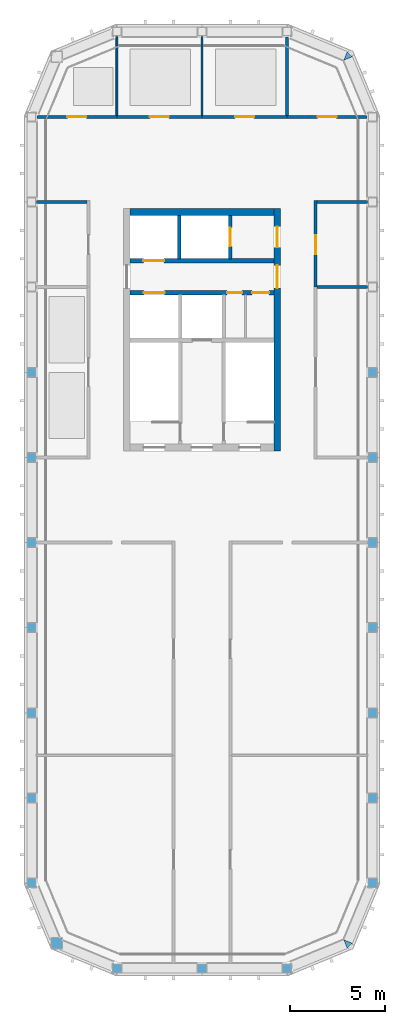
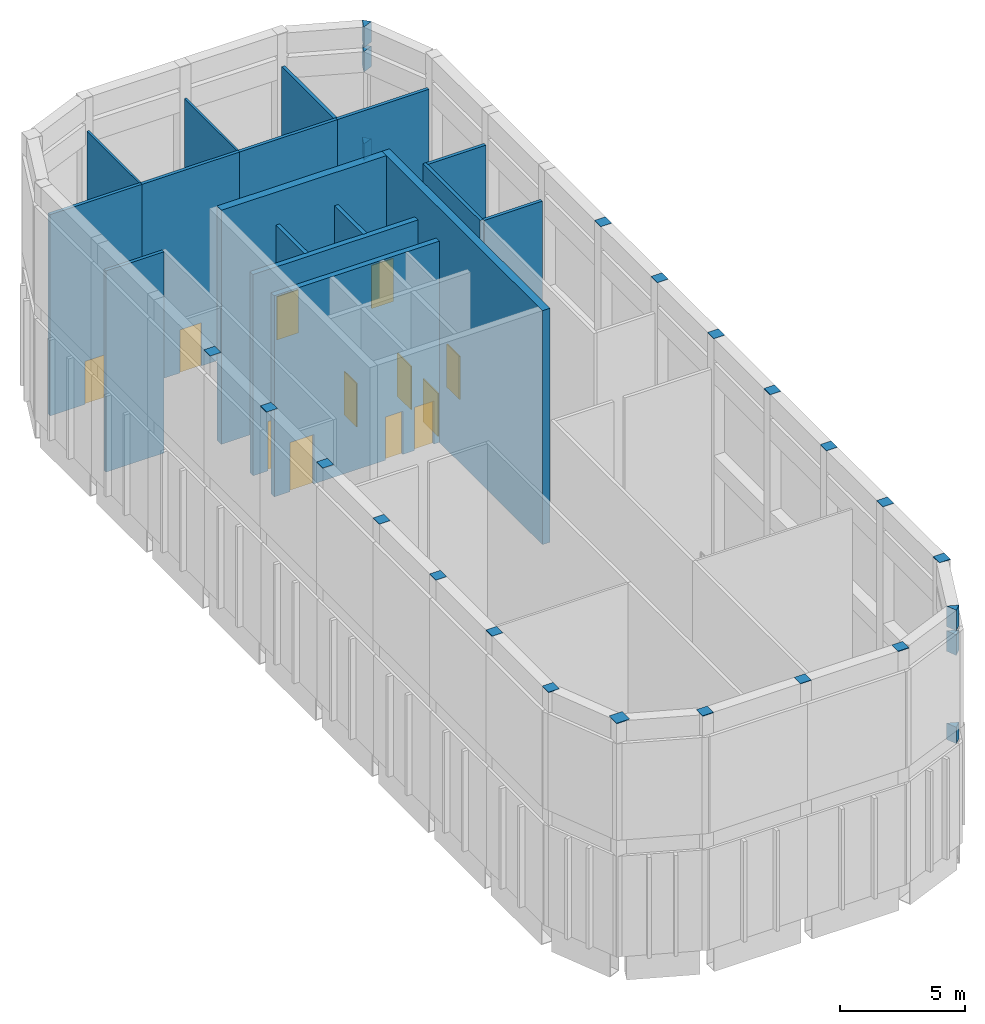
# One storey, part 3 of 7: 24 discrete accessories, 17 walls, 12 doors, 12 openings.
"""IFC4 building model written with IfcOpenShell, lengths in metres."""

from ifc_helpers import new_model, si_unit, direction, frame, frame_2d, origin, place, context, subcontext, project, spatial, polyline, rectangle, outline, extrude, material, layer, layer_set, type_object, element, fill, save


model = new_model("IFC4")

# Units and contexts
model_context = context("Model", 3, precision=1e-05, world=origin(), true_north=direction((0.0, 1.0)))
body_context = subcontext(model_context, "Body", "Model", "MODEL_VIEW")
ifc_project = project(units=[si_unit("LENGTHUNIT", "METRE"), si_unit("AREAUNIT", "SQUARE_METRE"), si_unit("VOLUMEUNIT", "CUBIC_METRE"), si_unit("PLANEANGLEUNIT", "RADIAN"), si_unit("MASSUNIT", "GRAM", prefix="KILO")], contexts=[model_context])

# Site, building, storey
site_placement = place(None, origin())
site = spatial("IfcSite", under=ifc_project, at=site_placement, CompositionType="ELEMENT")
building_placement = place(site_placement, origin())
building = spatial("IfcBuilding", under=site, at=building_placement, Name="Girih Gate Residences", CompositionType="ELEMENT")
storey_placement = place(building_placement, frame((0.0, 0.0, 247.094970703125)))
storey = spatial("IfcBuildingStorey", under=building, at=storey_placement, Name="L67", CompositionType="ELEMENT", Elevation=247.094970703125)

# Wall, opening, door
ifc_material_1 = material(Name="Gypsum board on steel studs", Category="steel")
ifc_layer_1 = layer(ifc_material_1, 0.14990234375)
ifc_layer_set_1 = layer_set([ifc_layer_1], Name="Compartment wall 150 mm")
wall_type_1 = type_object("IfcWallType", Name="Compartment wall 150 mm", PredefinedType="PARTITIONING", material=ifc_layer_set_1)
wall_1_placement = place(storey_placement, frame((15.0, 40.574951171875, 0.0), z_axis=(0.0, 0.0, 1.0), x_axis=(0.0, -1.0, 0.0)))
wall_1 = element("IfcWall", 1, at=wall_1_placement, inside=storey, type_object=wall_type_1, Name="L67 partition", PredefinedType="PARTITIONING", context=body_context, shape_type="SweptSolid", body=[
    extrude(rectangle(XDim=4.574951171875, YDim=0.14990234375, at=frame_2d((2.28759765625, 0.0))), origin(), (0.0, 0.0, 1.0), 9.800048828125),
])
opening_1_placement = place(wall_1_placement, frame((1.824951171875, 0.0, 0.0)))
opening_1 = element("IfcOpeningElement", 2, at=opening_1_placement, cuts=wall_1, Name="Opening D-L67-S-002", PredefinedType="OPENING", context=body_context, shape_type="SweptSolid", body=[
    extrude(rectangle(XDim=1.0, YDim=2.10009765625, at=frame_2d((0.5, 1.050048828125))), frame((0.0, 0.0849609375, 0.0), z_axis=(0.0, -1.0, 0.0), x_axis=(1.0, 0.0, 0.0)), (0.0, 0.0, 1.0), 0.169921875),
])
ifc_material_2 = material(Name="Painted steel, fire-resisting", Category="steel")
door_type_1 = type_object("IfcDoorType", Name="Plant room door 1000x2100 FD60", OperationType="SINGLE_SWING_LEFT", PredefinedType="DOOR", material=ifc_material_2)
door_1_placement = place(opening_1_placement, origin())
door_1 = element("IfcDoor", 3, at=door_1_placement, inside=storey, type_object=door_type_1, Name="Door L67-002", OperationType="SINGLE_SWING_RIGHT", OverallHeight=2.10009765625, OverallWidth=1.0, PredefinedType="DOOR", context=body_context, shape_type="SweptSolid", body=[
    extrude(rectangle(XDim=1.0, YDim=2.10009765625, at=frame_2d((0.5, 1.050048828125))), frame((0.0, 0.02490234375, 0.0), z_axis=(0.0, -1.0, 0.0), x_axis=(1.0, 0.0, 0.0)), (0.0, 0.0, 1.0), 0.050048828125),
])
fill(opening_1, door_1)

wall_2_placement = place(storey_placement, frame((0.2705078125, 45.0, 0.0), z_axis=(0.0, 0.0, 1.0), x_axis=(1.0, 0.0, 0.0)))
wall_2 = element("IfcWall", 4, at=wall_2_placement, inside=storey, type_object=wall_type_1, Name="L67 partition", PredefinedType="PARTITIONING", context=body_context, shape_type="SweptSolid", body=[
    extrude(rectangle(XDim=4.2294921875, YDim=0.14990234375, at=frame_2d((2.11474609375, 0.0))), origin(), (0.0, 0.0, 1.0), 9.800048828125),
])
opening_2_placement = place(wall_2_placement, frame((1.61474609375, 0.0, 0.0)))
opening_2 = element("IfcOpeningElement", 5, at=opening_2_placement, cuts=wall_2, Name="Opening D-L67-S-005", PredefinedType="OPENING", context=body_context, shape_type="SweptSolid", body=[
    extrude(rectangle(XDim=1.0, YDim=2.10009765625, at=frame_2d((0.5, 1.050048828125))), frame((0.0, 0.0849609375, 0.0), z_axis=(0.0, -1.0, 0.0), x_axis=(1.0, 0.0, 0.0)), (0.0, 0.0, 1.0), 0.169921875),
])
door_2_placement = place(opening_2_placement, origin())
door_2 = element("IfcDoor", 6, at=door_2_placement, inside=storey, type_object=door_type_1, Name="Door L67-005", OperationType="SINGLE_SWING_RIGHT", OverallHeight=2.10009765625, OverallWidth=1.0, PredefinedType="DOOR", context=body_context, shape_type="SweptSolid", body=[
    extrude(rectangle(XDim=1.0, YDim=2.10009765625, at=frame_2d((0.5, 1.050048828125))), frame((0.0, 0.02490234375, 0.0), z_axis=(0.0, -1.0, 0.0), x_axis=(1.0, 0.0, 0.0)), (0.0, 0.0, 1.0), 0.050048828125),
])
fill(opening_2, door_2)

wall_3_placement = place(storey_placement, frame((4.5, 45.0, 0.0), z_axis=(0.0, 0.0, 1.0), x_axis=(1.0, 0.0, 0.0)))
wall_3 = element("IfcWall", 7, at=wall_3_placement, inside=storey, type_object=wall_type_1, Name="L67 partition", PredefinedType="PARTITIONING", context=body_context, shape_type="SweptSolid", body=[
    extrude(rectangle(XDim=4.5, YDim=0.14990234375, at=frame_2d((2.25, 0.0))), origin(), (0.0, 0.0, 1.0), 9.800048828125),
])
opening_3_placement = place(wall_3_placement, frame((1.75, 0.0, 0.0)))
opening_3 = element("IfcOpeningElement", 8, at=opening_3_placement, cuts=wall_3, Name="Opening D-L67-S-006", PredefinedType="OPENING", context=body_context, shape_type="SweptSolid", body=[
    extrude(rectangle(XDim=1.0, YDim=2.10009765625, at=frame_2d((0.5, 1.050048828125))), frame((0.0, 0.0849609375, 0.0), z_axis=(0.0, -1.0, 0.0), x_axis=(1.0, 0.0, 0.0)), (0.0, 0.0, 1.0), 0.169921875),
])
door_3_placement = place(opening_3_placement, origin())
door_3 = element("IfcDoor", 9, at=door_3_placement, inside=storey, type_object=door_type_1, Name="Door L67-006", OperationType="SINGLE_SWING_RIGHT", OverallHeight=2.10009765625, OverallWidth=1.0, PredefinedType="DOOR", context=body_context, shape_type="SweptSolid", body=[
    extrude(rectangle(XDim=1.0, YDim=2.10009765625, at=frame_2d((0.5, 1.050048828125))), frame((0.0, 0.02490234375, 0.0), z_axis=(0.0, -1.0, 0.0), x_axis=(1.0, 0.0, 0.0)), (0.0, 0.0, 1.0), 0.050048828125),
])
fill(opening_3, door_3)

# Wall
wall_4_placement = place(storey_placement, frame((13.5, 45.074951171875, 0.0), z_axis=(0.0, 0.0, 1.0), x_axis=(0.0, 1.0, 0.0)))
element("IfcWall", 10, at=wall_4_placement, inside=storey, type_object=wall_type_1, Name="L67 partition", PredefinedType="PARTITIONING", context=body_context, shape_type="SweptSolid", body=[
    extrude(rectangle(XDim=4.154541015625, YDim=0.14990234375, at=frame_2d((2.0771484375, 0.0))), origin(), (0.0, 0.0, 1.0), 9.800048828125),
])

# Wall, opening, door
wall_5_placement = place(storey_placement, frame((9.0, 45.0, 0.0), z_axis=(0.0, 0.0, 1.0), x_axis=(1.0, 0.0, 0.0)))
wall_5 = element("IfcWall", 11, at=wall_5_placement, inside=storey, type_object=wall_type_1, Name="L67 partition", PredefinedType="PARTITIONING", context=body_context, shape_type="SweptSolid", body=[
    extrude(rectangle(XDim=4.5, YDim=0.14990234375, at=frame_2d((2.25, 0.0))), origin(), (0.0, 0.0, 1.0), 9.800048828125),
])
opening_4_placement = place(wall_5_placement, frame((1.75, 0.0, 0.0)))
opening_4 = element("IfcOpeningElement", 12, at=opening_4_placement, cuts=wall_5, Name="Opening D-L67-S-007", PredefinedType="OPENING", context=body_context, shape_type="SweptSolid", body=[
    extrude(rectangle(XDim=1.0, YDim=2.10009765625, at=frame_2d((0.5, 1.050048828125))), frame((0.0, 0.0849609375, 0.0), z_axis=(0.0, -1.0, 0.0), x_axis=(1.0, 0.0, 0.0)), (0.0, 0.0, 1.0), 0.169921875),
])
door_4_placement = place(opening_4_placement, origin())
door_4 = element("IfcDoor", 13, at=door_4_placement, inside=storey, type_object=door_type_1, Name="Door L67-007", OperationType="SINGLE_SWING_RIGHT", OverallHeight=2.10009765625, OverallWidth=1.0, PredefinedType="DOOR", context=body_context, shape_type="SweptSolid", body=[
    extrude(rectangle(XDim=1.0, YDim=2.10009765625, at=frame_2d((0.5, 1.050048828125))), frame((0.0, 0.02490234375, 0.0), z_axis=(0.0, -1.0, 0.0), x_axis=(1.0, 0.0, 0.0)), (0.0, 0.0, 1.0), 0.050048828125),
])
fill(opening_4, door_4)

wall_6_placement = place(storey_placement, frame((13.5, 45.0, 0.0), z_axis=(0.0, 0.0, 1.0), x_axis=(1.0, 0.0, 0.0)))
wall_6 = element("IfcWall", 14, at=wall_6_placement, inside=storey, type_object=wall_type_1, Name="L67 partition", PredefinedType="PARTITIONING", context=body_context, shape_type="SweptSolid", body=[
    extrude(rectangle(XDim=4.2294921875, YDim=0.14990234375, at=frame_2d((2.11474609375, 0.0))), origin(), (0.0, 0.0, 1.0), 9.800048828125),
])
opening_5_placement = place(wall_6_placement, frame((1.61474609375, 0.0, 0.0)))
opening_5 = element("IfcOpeningElement", 15, at=opening_5_placement, cuts=wall_6, Name="Opening D-L67-S-008", PredefinedType="OPENING", context=body_context, shape_type="SweptSolid", body=[
    extrude(rectangle(XDim=1.0, YDim=2.10009765625, at=frame_2d((0.5, 1.050048828125))), frame((0.0, 0.0849609375, 0.0), z_axis=(0.0, -1.0, 0.0), x_axis=(1.0, 0.0, 0.0)), (0.0, 0.0, 1.0), 0.169921875),
])
door_5_placement = place(opening_5_placement, origin())
door_5 = element("IfcDoor", 16, at=door_5_placement, inside=storey, type_object=door_type_1, Name="Door L67-008", OperationType="SINGLE_SWING_RIGHT", OverallHeight=2.10009765625, OverallWidth=1.0, PredefinedType="DOOR", context=body_context, shape_type="SweptSolid", body=[
    extrude(rectangle(XDim=1.0, YDim=2.10009765625, at=frame_2d((0.5, 1.050048828125))), frame((0.0, 0.02490234375, 0.0), z_axis=(0.0, -1.0, 0.0), x_axis=(1.0, 0.0, 0.0)), (0.0, 0.0, 1.0), 0.050048828125),
])
fill(opening_5, door_5)

# Walls
for number, where, z_axis, x_axis, name in (
    (17, (15.074951171875, 40.5, 0.0), (0.0, 0.0, 1.0), (1.0, 0.0, 0.0), "L67 partition"),
    (18, (0.25, 40.5, 0.0), (0.0, 0.0, 1.0), (1.0, 0.0, 0.0), "L67 partition"),
    (19, (15.074951171875, 36.0, 0.0), (0.0, 0.0, 1.0), (1.0, 0.0, 0.0), "L67 partition"),
):
    element("IfcWall", number, at=place(storey_placement, frame(where, z_axis=z_axis, x_axis=x_axis)), inside=storey, type_object=wall_type_1, Name=name, PredefinedType="PARTITIONING", context=body_context, shape_type="SweptSolid", body=[
        extrude(rectangle(XDim=2.675048828125, YDim=0.14990234375, at=frame_2d((1.33740234375, 0.0))), origin(), (0.0, 0.0, 1.0), 9.800048828125),
    ])
ifc_material_3 = material(Name="Concrete C60/75", Category="concrete")
ifc_layer_2 = layer(ifc_material_3, 0.35009765625)
ifc_layer_set_2 = layer_set([ifc_layer_2], Name="Core wall RC 350 Concrete C60/75")
wall_type_2 = type_object("IfcWallType", Name="Core wall RC 350 Concrete C60/75", PredefinedType="SOLIDWALL", material=ifc_layer_set_2)
wall_7_placement = place(storey_placement, frame((5.199951171875, 39.97509765625, 0.0), z_axis=(0.0, 0.0, 1.0), x_axis=(1.0, 0.0, 0.0)))
element("IfcWall", 20, at=wall_7_placement, inside=storey, type_object=wall_type_2, Name="Core wall W-N L67", PredefinedType="SOLIDWALL", context=body_context, shape_type="SweptSolid", body=[
    extrude(rectangle(XDim=7.60009765625, YDim=0.35009765625, at=frame_2d((3.800048828125, 0.0))), origin(), (0.0, 0.0, 1.0), 11.400146484375),
])

# Wall, openings, doors
wall_8_placement = place(storey_placement, frame((12.97509765625, 27.35009765625, 0.0), z_axis=(0.0, 0.0, 1.0), x_axis=(0.0, 1.0, 0.0)))
wall_8 = element("IfcWall", 21, at=wall_8_placement, inside=storey, type_object=wall_type_2, Name="Core wall W-E L67", PredefinedType="SOLIDWALL", context=body_context, shape_type="SweptSolid", body=[
    extrude(rectangle(XDim=12.7998046875, YDim=0.35009765625, at=frame_2d((6.39990234375, 0.0))), origin(), (0.0, 0.0, 1.0), 11.400146484375),
])
opening_6_placement = place(wall_8_placement, frame((10.75, 0.0, 0.0)))
opening_6 = element("IfcOpeningElement", 22, at=opening_6_placement, cuts=wall_8, Name="Opening D-L67-W-012", PredefinedType="OPENING", context=body_context, shape_type="SweptSolid", body=[
    extrude(rectangle(XDim=1.10009765625, YDim=2.10009765625, at=frame_2d((0.550048828125, 1.050048828125))), frame((0.0, 0.18505859375, 0.0), z_axis=(0.0, -1.0, 0.0), x_axis=(1.0, 0.0, 0.0)), (0.0, 0.0, 1.0), 0.3701171875),
])
opening_7_placement = place(wall_8_placement, frame((8.60009765625, 0.0, 0.0)))
opening_7 = element("IfcOpeningElement", 23, at=opening_7_placement, cuts=wall_8, Name="Opening D-L67-W-014", PredefinedType="OPENING", context=body_context, shape_type="SweptSolid", body=[
    extrude(rectangle(XDim=1.199951171875, YDim=2.10009765625, at=frame_2d((0.60009765625, 1.050048828125))), frame((0.0, 0.18505859375, 0.0), z_axis=(0.0, -1.0, 0.0), x_axis=(1.0, 0.0, 0.0)), (0.0, 0.0, 1.0), 0.3701171875),
])
door_type_2 = type_object("IfcDoorType", Name="Fire door 1100x2100", OperationType="SINGLE_SWING_LEFT", PredefinedType="DOOR", material=ifc_material_2)
door_6_placement = place(opening_6_placement, origin())
door_6 = element("IfcDoor", 24, at=door_6_placement, inside=storey, type_object=door_type_2, Name="L67 W core door ffl2-e", OperationType="SINGLE_SWING_LEFT", OverallHeight=2.10009765625, OverallWidth=1.10009765625, PredefinedType="DOOR", context=body_context, shape_type="SweptSolid", body=[
    extrude(rectangle(XDim=1.10009765625, YDim=2.10009765625, at=frame_2d((0.550048828125, 1.050048828125))), frame((0.0, 0.02490234375, 0.0), z_axis=(0.0, -1.0, 0.0), x_axis=(1.0, 0.0, 0.0)), (0.0, 0.0, 1.0), 0.050048828125),
])
fill(opening_6, door_6)
door_type_3 = type_object("IfcDoorType", Name="Fire door 1200x2100", OperationType="SINGLE_SWING_LEFT", PredefinedType="DOOR", material=ifc_material_2)
door_7_placement = place(opening_7_placement, origin())
door_7 = element("IfcDoor", 25, at=door_7_placement, inside=storey, type_object=door_type_3, Name="L67 W core door ll-e", OperationType="SINGLE_SWING_LEFT", OverallHeight=2.10009765625, OverallWidth=1.199951171875, PredefinedType="DOOR", context=body_context, shape_type="SweptSolid", body=[
    extrude(rectangle(XDim=1.199951171875, YDim=2.10009765625, at=frame_2d((0.60009765625, 1.050048828125))), frame((0.0, 0.02490234375, 0.0), z_axis=(0.0, -1.0, 0.0), x_axis=(1.0, 0.0, 0.0)), (0.0, 0.0, 1.0), 0.050048828125),
])
fill(opening_7, door_7)

ifc_material_4 = material(Name="Concrete C40/50", Category="concrete")
ifc_layer_3 = layer(ifc_material_4, 0.25)
ifc_layer_set_3 = layer_set([ifc_layer_3], Name="Lift shaft wall 250")
wall_type_3 = type_object("IfcWallType", Name="Lift shaft wall 250", PredefinedType="SOLIDWALL", material=ifc_layer_set_3)
wall_9_placement = place(storey_placement, frame((5.199951171875, 35.699951171875, 0.0), z_axis=(0.0, 0.0, 1.0), x_axis=(1.0, 0.0, 0.0)))
wall_9 = element("IfcWall", 26, at=wall_9_placement, inside=storey, type_object=wall_type_3, Name="L67 W core wall H2", PredefinedType="SOLIDWALL", context=body_context, shape_type="SweptSolid", body=[
    extrude(rectangle(XDim=7.60009765625, YDim=0.25, at=frame_2d((3.800048828125, 0.0))), origin(), (0.0, 0.0, 1.0), 9.800048828125),
])
opening_8_placement = place(wall_9_placement, frame((0.72509765625, 0.0, 0.0)))
opening_8 = element("IfcOpeningElement", 27, at=opening_8_placement, cuts=wall_9, Name="Opening D-L67-W-005", PredefinedType="OPENING", context=body_context, shape_type="SweptSolid", body=[
    extrude(rectangle(XDim=1.10009765625, YDim=2.39990234375, at=frame_2d((0.550048828125, 1.199951171875))), frame((0.0, 0.135009765625, 0.0), z_axis=(0.0, -1.0, 0.0), x_axis=(1.0, 0.0, 0.0)), (0.0, 0.0, 1.0), 0.27001953125),
])
opening_9_placement = place(wall_9_placement, frame((5.125, 0.0, 0.0)))
opening_9 = element("IfcOpeningElement", 28, at=opening_9_placement, cuts=wall_9, Name="Opening D-L67-W-007", PredefinedType="OPENING", context=body_context, shape_type="SweptSolid", body=[
    extrude(rectangle(XDim=0.800048828125, YDim=2.10009765625, at=frame_2d((0.39990234375, 1.050048828125))), frame((0.0, 0.135009765625, 0.0), z_axis=(0.0, -1.0, 0.0), x_axis=(1.0, 0.0, 0.0)), (0.0, 0.0, 1.0), 0.27001953125),
])
opening_10_placement = place(wall_9_placement, frame((6.449951171875, 0.0, 0.0)))
opening_10 = element("IfcOpeningElement", 29, at=opening_10_placement, cuts=wall_9, Name="Opening D-L67-W-008", PredefinedType="OPENING", context=body_context, shape_type="SweptSolid", body=[
    extrude(rectangle(XDim=0.89990234375, YDim=2.10009765625, at=frame_2d((0.449951171875, 1.050048828125))), frame((0.0, 0.135009765625, 0.0), z_axis=(0.0, -1.0, 0.0), x_axis=(1.0, 0.0, 0.0)), (0.0, 0.0, 1.0), 0.27001953125),
])
door_type_4 = type_object("IfcDoorType", Name="Fire door 800x2100", OperationType="SINGLE_SWING_LEFT", PredefinedType="DOOR", material=ifc_material_2)
door_8_placement = place(opening_9_placement, origin())
door_8 = element("IfcDoor", 30, at=door_8_placement, inside=storey, type_object=door_type_4, Name="L67 W linen store door", OperationType="SINGLE_SWING_LEFT", OverallHeight=2.10009765625, OverallWidth=0.800048828125, PredefinedType="DOOR", context=body_context, shape_type="SweptSolid", body=[
    extrude(rectangle(XDim=0.800048828125, YDim=2.10009765625, at=frame_2d((0.39990234375, 1.050048828125))), frame((0.0, 0.02490234375, 0.0), z_axis=(0.0, -1.0, 0.0), x_axis=(1.0, 0.0, 0.0)), (0.0, 0.0, 1.0), 0.050048828125),
])
fill(opening_9, door_8)
door_type_5 = type_object("IfcDoorType", Name="Fire door 900x2100", OperationType="SINGLE_SWING_LEFT", PredefinedType="DOOR", material=ifc_material_2)
door_9_placement = place(opening_10_placement, origin())
door_9 = element("IfcDoor", 31, at=door_9_placement, inside=storey, type_object=door_type_5, Name="L67 W maintenance store door", OperationType="SINGLE_SWING_LEFT", OverallHeight=2.10009765625, OverallWidth=0.89990234375, PredefinedType="DOOR", context=body_context, shape_type="SweptSolid", body=[
    extrude(rectangle(XDim=0.89990234375, YDim=2.10009765625, at=frame_2d((0.449951171875, 1.050048828125))), frame((0.0, 0.02490234375, 0.0), z_axis=(0.0, -1.0, 0.0), x_axis=(1.0, 0.0, 0.0)), (0.0, 0.0, 1.0), 0.050048828125),
])
fill(opening_10, door_9)
ifc_material_5 = material(Name="Stainless steel", Category="steel")
door_type_6 = type_object("IfcDoorType", Name="Lift landing door 1100x2400", OperationType="SLIDING_TO_LEFT", PredefinedType="DOOR", material=ifc_material_5)
door_10_placement = place(opening_8_placement, origin())
door_10 = element("IfcDoor", 32, at=door_10_placement, inside=storey, type_object=door_type_6, Name="L67 lift HR-W1 landing door", OperationType="SLIDING_TO_LEFT", OverallHeight=2.39990234375, OverallWidth=1.10009765625, PredefinedType="DOOR", context=body_context, shape_type="SweptSolid", body=[
    extrude(rectangle(XDim=1.10009765625, YDim=2.39990234375, at=frame_2d((0.550048828125, 1.199951171875))), frame((0.0, 0.02490234375, 0.0), z_axis=(0.0, -1.0, 0.0), x_axis=(1.0, 0.0, 0.0)), (0.0, 0.0, 1.0), 0.050048828125),
])
fill(opening_8, door_10)

# Wall, opening, door
wall_10_placement = place(storey_placement, frame((5.199951171875, 37.39990234375, 0.0), z_axis=(0.0, 0.0, 1.0), x_axis=(1.0, 0.0, 0.0)))
wall_10 = element("IfcWall", 33, at=wall_10_placement, inside=storey, type_object=wall_type_3, Name="L67 W core wall H3", PredefinedType="SOLIDWALL", context=body_context, shape_type="SweptSolid", body=[
    extrude(rectangle(XDim=7.60009765625, YDim=0.25, at=frame_2d((3.800048828125, 0.0))), origin(), (0.0, 0.0, 1.0), 9.800048828125),
])
opening_11_placement = place(wall_10_placement, frame((0.699951171875, 0.0, 0.0)))
opening_11 = element("IfcOpeningElement", 34, at=opening_11_placement, cuts=wall_10, Name="Opening D-L67-W-003", PredefinedType="OPENING", context=body_context, shape_type="SweptSolid", body=[
    extrude(rectangle(XDim=1.10009765625, YDim=2.39990234375, at=frame_2d((0.550048828125, 1.199951171875))), frame((0.0, 0.135009765625, 0.0), z_axis=(0.0, -1.0, 0.0), x_axis=(1.0, 0.0, 0.0)), (0.0, 0.0, 1.0), 0.27001953125),
])
door_11_placement = place(opening_11_placement, origin())
door_11 = element("IfcDoor", 35, at=door_11_placement, inside=storey, type_object=door_type_6, Name="L67 lift LR-W1 landing door", OperationType="SLIDING_TO_LEFT", OverallHeight=2.39990234375, OverallWidth=1.10009765625, PredefinedType="DOOR", context=body_context, shape_type="SweptSolid", body=[
    extrude(rectangle(XDim=1.10009765625, YDim=2.39990234375, at=frame_2d((0.550048828125, 1.199951171875))), frame((0.0, 0.02490234375, 0.0), z_axis=(0.0, -1.0, 0.0), x_axis=(1.0, 0.0, 0.0)), (0.0, 0.0, 1.0), 0.050048828125),
])
fill(opening_11, door_11)

# Walls
ifc_layer_4 = layer(ifc_material_1, 0.10009765625)
ifc_layer_set_4 = layer_set([ifc_layer_4], Name="Partition 100 mm")
wall_type_4 = type_object("IfcWallType", Name="Partition 100 mm", PredefinedType="PARTITIONING", material=ifc_layer_set_4)
wall_11_placement = place(storey_placement, frame((4.5, 45.074951171875, 0.0), z_axis=(0.0, 0.0, 1.0), x_axis=(0.0, 1.0, 0.0)))
element("IfcWall", 36, at=wall_11_placement, inside=storey, type_object=wall_type_4, Name="L67 partition", PredefinedType="PARTITIONING", context=body_context, shape_type="SweptSolid", body=[
    extrude(rectangle(XDim=4.154541015625, YDim=0.10009765625, at=frame_2d((2.0771484375, 0.0))), origin(), (0.0, 0.0, 1.0), 9.800048828125),
])
wall_12_placement = place(storey_placement, frame((9.0, 45.074951171875, 0.0), z_axis=(0.0, 0.0, 1.0), x_axis=(0.0, 1.0, 0.0)))
element("IfcWall", 37, at=wall_12_placement, inside=storey, type_object=wall_type_4, Name="L67 partition", PredefinedType="PARTITIONING", context=body_context, shape_type="SweptSolid", body=[
    extrude(rectangle(XDim=4.175048828125, YDim=0.10009765625, at=frame_2d((2.08740234375, 0.0))), origin(), (0.0, 0.0, 1.0), 9.800048828125),
])
ifc_layer_5 = layer(ifc_material_4, 0.175048828125)
ifc_layer_set_5 = layer_set([ifc_layer_5], Name="Riser shaft wall 175")
wall_type_5 = type_object("IfcWallType", Name="Riser shaft wall 175", PredefinedType="SOLIDWALL", material=ifc_layer_set_5)
wall_13_placement = place(storey_placement, frame((7.800048828125, 37.5, 0.0), z_axis=(0.0, 0.0, 1.0), x_axis=(0.0, 1.0, 0.0)))
element("IfcWall", 38, at=wall_13_placement, inside=storey, type_object=wall_type_5, Name="L67 W core wall V1c", PredefinedType="SOLIDWALL", context=body_context, shape_type="SweptSolid", body=[
    extrude(rectangle(XDim=2.300048828125, YDim=0.175048828125, at=frame_2d((1.14990234375, 0.0))), origin(), (0.0, 0.0, 1.0), 9.800048828125),
])

# Wall, opening, door
wall_14_placement = place(storey_placement, frame((10.5, 37.5, 0.0), z_axis=(0.0, 0.0, 1.0), x_axis=(0.0, 1.0, 0.0)))
wall_14 = element("IfcWall", 39, at=wall_14_placement, inside=storey, type_object=wall_type_5, Name="L67 W core wall V2c", PredefinedType="SOLIDWALL", context=body_context, shape_type="SweptSolid", body=[
    extrude(rectangle(XDim=2.300048828125, YDim=0.175048828125, at=frame_2d((1.14990234375, 0.0))), origin(), (0.0, 0.0, 1.0), 9.800048828125),
])
opening_12_placement = place(wall_14_placement, frame((0.64990234375, 0.0, 0.0)))
opening_12 = element("IfcOpeningElement", 40, at=opening_12_placement, cuts=wall_14, Name="Opening D-L67-W-004", PredefinedType="OPENING", context=body_context, shape_type="SweptSolid", body=[
    extrude(rectangle(XDim=1.0, YDim=2.10009765625, at=frame_2d((0.5, 1.050048828125))), frame((0.0, 0.097412109375, 0.0), z_axis=(0.0, -1.0, 0.0), x_axis=(1.0, 0.0, 0.0)), (0.0, 0.0, 1.0), 0.195068359375),
])
ifc_material_6 = material(Name="Stainless steel, fire-resisting", Category="steel")
door_type_7 = type_object("IfcDoorType", Name="Firefighting lift landing door 1000x2100", OperationType="SLIDING_TO_LEFT", PredefinedType="DOOR", material=ifc_material_6)
door_12_placement = place(opening_12_placement, origin())
door_12 = element("IfcDoor", 41, at=door_12_placement, inside=storey, type_object=door_type_7, Name="L67 lift FF-W2 landing door", OperationType="SLIDING_TO_LEFT", OverallHeight=2.10009765625, OverallWidth=1.0, PredefinedType="DOOR", context=body_context, shape_type="SweptSolid", body=[
    extrude(rectangle(XDim=1.0, YDim=2.10009765625, at=frame_2d((0.5, 1.050048828125))), frame((0.0, 0.02490234375, 0.0), z_axis=(0.0, -1.0, 0.0), x_axis=(1.0, 0.0, 0.0)), (0.0, 0.0, 1.0), 0.050048828125),
])
fill(opening_12, door_12)

# Discrete accessories
ifc_material_7 = material(Name="Painted steel plate", Category="steel")
ifc_layer_6 = layer(ifc_material_7, 0.030029296875)
ifc_layer_set_6 = layer_set([ifc_layer_6], Name="Crown post cap plate")
discrete_accessory_type_1 = type_object("IfcDiscreteAccessoryType", Name="Crown post cap plate", PredefinedType="BRACKET", material=ifc_layer_set_6)
discrete_accessory_1_placement = place(storey_placement, frame((0.0, 0.0, 11.3701171875)))
element("IfcDiscreteAccessory", 42, at=discrete_accessory_1_placement, inside=storey, type_object=discrete_accessory_type_1, Name="Crown post cap plate 1", PredefinedType="BRACKET", context=body_context, shape_type="SweptSolid", body=[
    extrude(outline(polyline([(4.25, -0.25), (4.75, -0.25), (4.75, 0.25), (4.25, 0.25), (4.25, -0.25)])), origin(), (0.0, 0.0, 1.0), 0.030029296875),
])
discrete_accessory_2_placement = place(storey_placement, frame((0.0, 0.0, 11.3701171875)))
element("IfcDiscreteAccessory", 43, at=discrete_accessory_2_placement, inside=storey, type_object=discrete_accessory_type_1, Name="Crown post cap plate 2", PredefinedType="BRACKET", context=body_context, shape_type="SweptSolid", body=[
    extrude(outline(polyline([(8.75, -0.25), (9.25, -0.25), (9.25, 0.25), (8.75, 0.25), (8.75, -0.25)])), origin(), (0.0, 0.0, 1.0), 0.030029296875),
])
discrete_accessory_3_placement = place(storey_placement, frame((0.0, 0.0, 11.3701171875)))
element("IfcDiscreteAccessory", 44, at=discrete_accessory_3_placement, inside=storey, type_object=discrete_accessory_type_1, Name="Crown post cap plate 3", PredefinedType="BRACKET", context=body_context, shape_type="SweptSolid", body=[
    extrude(outline(polyline([(13.25, -0.25), (13.75, -0.25), (13.75, 0.25), (13.25, 0.25), (13.25, -0.25)])), origin(), (0.0, 0.0, 1.0), 0.030029296875),
])
discrete_accessory_4_placement = place(storey_placement, frame((0.0, 0.0, 11.3701171875)))
element("IfcDiscreteAccessory", 45, at=discrete_accessory_4_placement, inside=storey, type_object=discrete_accessory_type_1, Name="Crown post cap plate 4", PredefinedType="BRACKET", context=body_context, shape_type="SweptSolid", body=[
    extrude(outline(polyline([(1.01806640625, 1.01806640625), (1.617919921875, 1.01806640625), (1.617919921875, 1.617919921875), (1.01806640625, 1.617919921875), (1.01806640625, 1.01806640625)])), origin(), (0.0, 0.0, 1.0), 0.030029296875),
])
discrete_accessory_5_placement = place(storey_placement, frame((0.0, 0.0, 11.3701171875)))
element("IfcDiscreteAccessory", 46, at=discrete_accessory_5_placement, inside=storey, type_object=discrete_accessory_type_1, Name="Crown post cap plate 5", PredefinedType="BRACKET", context=body_context, shape_type="SweptSolid", body=[
    extrude(outline(polyline([(-0.25, 4.25), (0.25, 4.25), (0.25, 4.75), (-0.25, 4.75), (-0.25, 4.25)])), origin(), (0.0, 0.0, 1.0), 0.030029296875),
])
discrete_accessory_6_placement = place(storey_placement, frame((0.0, 0.0, 11.3701171875)))
element("IfcDiscreteAccessory", 47, at=discrete_accessory_6_placement, inside=storey, type_object=discrete_accessory_type_1, Name="Crown post cap plate 6", PredefinedType="BRACKET", context=body_context, shape_type="SweptSolid", body=[
    extrude(outline(polyline([(17.75, 4.25), (18.25, 4.25), (18.25, 4.75), (17.75, 4.75), (17.75, 4.25)])), origin(), (0.0, 0.0, 1.0), 0.030029296875),
])
discrete_accessory_7_placement = place(storey_placement, frame((0.0, 0.0, 11.3701171875)))
element("IfcDiscreteAccessory", 48, at=discrete_accessory_7_placement, inside=storey, type_object=discrete_accessory_type_1, Name="Crown post cap plate 7", PredefinedType="BRACKET", context=body_context, shape_type="SweptSolid", body=[
    extrude(outline(polyline([(-0.25, 8.75), (0.25, 8.75), (0.25, 9.25), (-0.25, 9.25), (-0.25, 8.75)])), origin(), (0.0, 0.0, 1.0), 0.030029296875),
])
discrete_accessory_8_placement = place(storey_placement, frame((0.0, 0.0, 11.3701171875)))
element("IfcDiscreteAccessory", 49, at=discrete_accessory_8_placement, inside=storey, type_object=discrete_accessory_type_1, Name="Crown post cap plate 8", PredefinedType="BRACKET", context=body_context, shape_type="SweptSolid", body=[
    extrude(outline(polyline([(17.75, 8.75), (18.25, 8.75), (18.25, 9.25), (17.75, 9.25), (17.75, 8.75)])), origin(), (0.0, 0.0, 1.0), 0.030029296875),
])
discrete_accessory_9_placement = place(storey_placement, frame((0.0, 0.0, 11.3701171875)))
element("IfcDiscreteAccessory", 50, at=discrete_accessory_9_placement, inside=storey, type_object=discrete_accessory_type_1, Name="Crown post cap plate 9", PredefinedType="BRACKET", context=body_context, shape_type="SweptSolid", body=[
    extrude(outline(polyline([(-0.25, 13.25), (0.25, 13.25), (0.25, 13.75), (-0.25, 13.75), (-0.25, 13.25)])), origin(), (0.0, 0.0, 1.0), 0.030029296875),
])
discrete_accessory_10_placement = place(storey_placement, frame((0.0, 0.0, 11.3701171875)))
element("IfcDiscreteAccessory", 51, at=discrete_accessory_10_placement, inside=storey, type_object=discrete_accessory_type_1, Name="Crown post cap plate 10", PredefinedType="BRACKET", context=body_context, shape_type="SweptSolid", body=[
    extrude(outline(polyline([(17.75, 13.25), (18.25, 13.25), (18.25, 13.75), (17.75, 13.75), (17.75, 13.25)])), origin(), (0.0, 0.0, 1.0), 0.030029296875),
])
discrete_accessory_11_placement = place(storey_placement, frame((0.0, 0.0, 11.3701171875)))
element("IfcDiscreteAccessory", 52, at=discrete_accessory_11_placement, inside=storey, type_object=discrete_accessory_type_1, Name="Crown post cap plate 11", PredefinedType="BRACKET", context=body_context, shape_type="SweptSolid", body=[
    extrude(outline(polyline([(-0.25, 17.75), (0.25, 17.75), (0.25, 18.25), (-0.25, 18.25), (-0.25, 17.75)])), origin(), (0.0, 0.0, 1.0), 0.030029296875),
])
discrete_accessory_12_placement = place(storey_placement, frame((0.0, 0.0, 11.3701171875)))
element("IfcDiscreteAccessory", 53, at=discrete_accessory_12_placement, inside=storey, type_object=discrete_accessory_type_1, Name="Crown post cap plate 12", PredefinedType="BRACKET", context=body_context, shape_type="SweptSolid", body=[
    extrude(outline(polyline([(17.75, 17.75), (18.25, 17.75), (18.25, 18.25), (17.75, 18.25), (17.75, 17.75)])), origin(), (0.0, 0.0, 1.0), 0.030029296875),
])
discrete_accessory_13_placement = place(storey_placement, frame((0.0, 0.0, 11.3701171875)))
element("IfcDiscreteAccessory", 54, at=discrete_accessory_13_placement, inside=storey, type_object=discrete_accessory_type_1, Name="Crown post cap plate 13", PredefinedType="BRACKET", context=body_context, shape_type="SweptSolid", body=[
    extrude(outline(polyline([(-0.25, 22.25), (0.25, 22.25), (0.25, 22.75), (-0.25, 22.75), (-0.25, 22.25)])), origin(), (0.0, 0.0, 1.0), 0.030029296875),
])
discrete_accessory_14_placement = place(storey_placement, frame((0.0, 0.0, 11.3701171875)))
element("IfcDiscreteAccessory", 55, at=discrete_accessory_14_placement, inside=storey, type_object=discrete_accessory_type_1, Name="Crown post cap plate 14", PredefinedType="BRACKET", context=body_context, shape_type="SweptSolid", body=[
    extrude(outline(polyline([(17.75, 22.25), (18.25, 22.25), (18.25, 22.75), (17.75, 22.75), (17.75, 22.25)])), origin(), (0.0, 0.0, 1.0), 0.030029296875),
])
discrete_accessory_15_placement = place(storey_placement, frame((0.0, 0.0, 11.3701171875)))
element("IfcDiscreteAccessory", 56, at=discrete_accessory_15_placement, inside=storey, type_object=discrete_accessory_type_1, Name="Crown post cap plate 15", PredefinedType="BRACKET", context=body_context, shape_type="SweptSolid", body=[
    extrude(outline(polyline([(-0.25, 26.75), (0.25, 26.75), (0.25, 27.25), (-0.25, 27.25), (-0.25, 26.75)])), origin(), (0.0, 0.0, 1.0), 0.030029296875),
])
discrete_accessory_16_placement = place(storey_placement, frame((0.0, 0.0, 11.3701171875)))
element("IfcDiscreteAccessory", 57, at=discrete_accessory_16_placement, inside=storey, type_object=discrete_accessory_type_1, Name="Crown post cap plate 16", PredefinedType="BRACKET", context=body_context, shape_type="SweptSolid", body=[
    extrude(outline(polyline([(17.75, 26.75), (18.25, 26.75), (18.25, 27.25), (17.75, 27.25), (17.75, 26.75)])), origin(), (0.0, 0.0, 1.0), 0.030029296875),
])
discrete_accessory_17_placement = place(storey_placement, frame((0.0, 0.0, 11.3701171875)))
element("IfcDiscreteAccessory", 58, at=discrete_accessory_17_placement, inside=storey, type_object=discrete_accessory_type_1, Name="Crown post cap plate 17", PredefinedType="BRACKET", context=body_context, shape_type="SweptSolid", body=[
    extrude(outline(polyline([(-0.25, 31.25), (0.25, 31.25), (0.25, 31.75), (-0.25, 31.75), (-0.25, 31.25)])), origin(), (0.0, 0.0, 1.0), 0.030029296875),
])
discrete_accessory_18_placement = place(storey_placement, frame((0.0, 0.0, 11.3701171875)))
element("IfcDiscreteAccessory", 59, at=discrete_accessory_18_placement, inside=storey, type_object=discrete_accessory_type_1, Name="Crown post cap plate 18", PredefinedType="BRACKET", context=body_context, shape_type="SweptSolid", body=[
    extrude(outline(polyline([(17.75, 31.25), (18.25, 31.25), (18.25, 31.75), (17.75, 31.75), (17.75, 31.25)])), origin(), (0.0, 0.0, 1.0), 0.030029296875),
])
ifc_layer_7 = layer(ifc_material_7, 0.0400390625)
ifc_layer_set_7 = layer_set([ifc_layer_7], Name="Crown ring node plate")
discrete_accessory_type_2 = type_object("IfcDiscreteAccessoryType", Name="Crown ring node plate", PredefinedType="BRACKET", material=ifc_layer_set_7)
discrete_accessory_19_placement = place(storey_placement, frame((0.0, 0.0, 4.900146484375)))
element("IfcDiscreteAccessory", 60, at=discrete_accessory_19_placement, inside=storey, type_object=discrete_accessory_type_2, Name="Crown ring node plate 252.8 1", PredefinedType="BRACKET", context=body_context, shape_type="SweptSolid", body=[
    extrude(outline(polyline([(16.490478515625, 47.990478515625), (16.95263671875, 48.181884765625), (16.681884765625, 48.45263671875), (16.490478515625, 47.990478515625)])), origin(), (0.0, 0.0, 1.0), 0.7998046875),
])
discrete_accessory_20_placement = place(storey_placement, frame((0.0, 0.0, 4.900146484375)))
element("IfcDiscreteAccessory", 61, at=discrete_accessory_20_placement, inside=storey, type_object=discrete_accessory_type_2, Name="Crown ring node plate 252.8 20", PredefinedType="BRACKET", context=body_context, shape_type="SweptSolid", body=[
    extrude(outline(polyline([(16.490478515625, 1.509521484375), (16.681884765625, 1.04736328125), (16.95263671875, 1.318115234375), (16.490478515625, 1.509521484375)])), origin(), (0.0, 0.0, 1.0), 0.7998046875),
])
discrete_accessory_21_placement = place(storey_placement, frame((0.0, 0.0, 9.199951171875)))
element("IfcDiscreteAccessory", 62, at=discrete_accessory_21_placement, inside=storey, type_object=discrete_accessory_type_2, Name="Crown ring node plate 257.3 1", PredefinedType="BRACKET", context=body_context, shape_type="SweptSolid", body=[
    extrude(outline(polyline([(16.490478515625, 47.990478515625), (16.95263671875, 48.181884765625), (16.681884765625, 48.45263671875), (16.490478515625, 47.990478515625)])), origin(), (0.0, 0.0, 1.0), 1.0),
])
discrete_accessory_22_placement = place(storey_placement, frame((0.0, 0.0, 9.199951171875)))
element("IfcDiscreteAccessory", 63, at=discrete_accessory_22_placement, inside=storey, type_object=discrete_accessory_type_2, Name="Crown ring node plate 257.3 20", PredefinedType="BRACKET", context=body_context, shape_type="SweptSolid", body=[
    extrude(outline(polyline([(16.490478515625, 1.509521484375), (16.681884765625, 1.04736328125), (16.95263671875, 1.318115234375), (16.490478515625, 1.509521484375)])), origin(), (0.0, 0.0, 1.0), 1.0),
])
discrete_accessory_23_placement = place(storey_placement, frame((0.0, 0.0, 10.400146484375)))
element("IfcDiscreteAccessory", 64, at=discrete_accessory_23_placement, inside=storey, type_object=discrete_accessory_type_2, Name="Crown ring node plate 258.5 1", PredefinedType="BRACKET", context=body_context, shape_type="SweptSolid", body=[
    extrude(outline(polyline([(16.490478515625, 47.990478515625), (16.95263671875, 48.181884765625), (16.681884765625, 48.45263671875), (16.490478515625, 47.990478515625)])), origin(), (0.0, 0.0, 1.0), 1.0),
])
discrete_accessory_24_placement = place(storey_placement, frame((0.0, 0.0, 10.400146484375)))
element("IfcDiscreteAccessory", 65, at=discrete_accessory_24_placement, inside=storey, type_object=discrete_accessory_type_2, Name="Crown ring node plate 258.5 20", PredefinedType="BRACKET", context=body_context, shape_type="SweptSolid", body=[
    extrude(outline(polyline([(16.490478515625, 1.509521484375), (16.681884765625, 1.04736328125), (16.95263671875, 1.318115234375), (16.490478515625, 1.509521484375)])), origin(), (0.0, 0.0, 1.0), 1.0),
])

save(model, "model.ifc")
